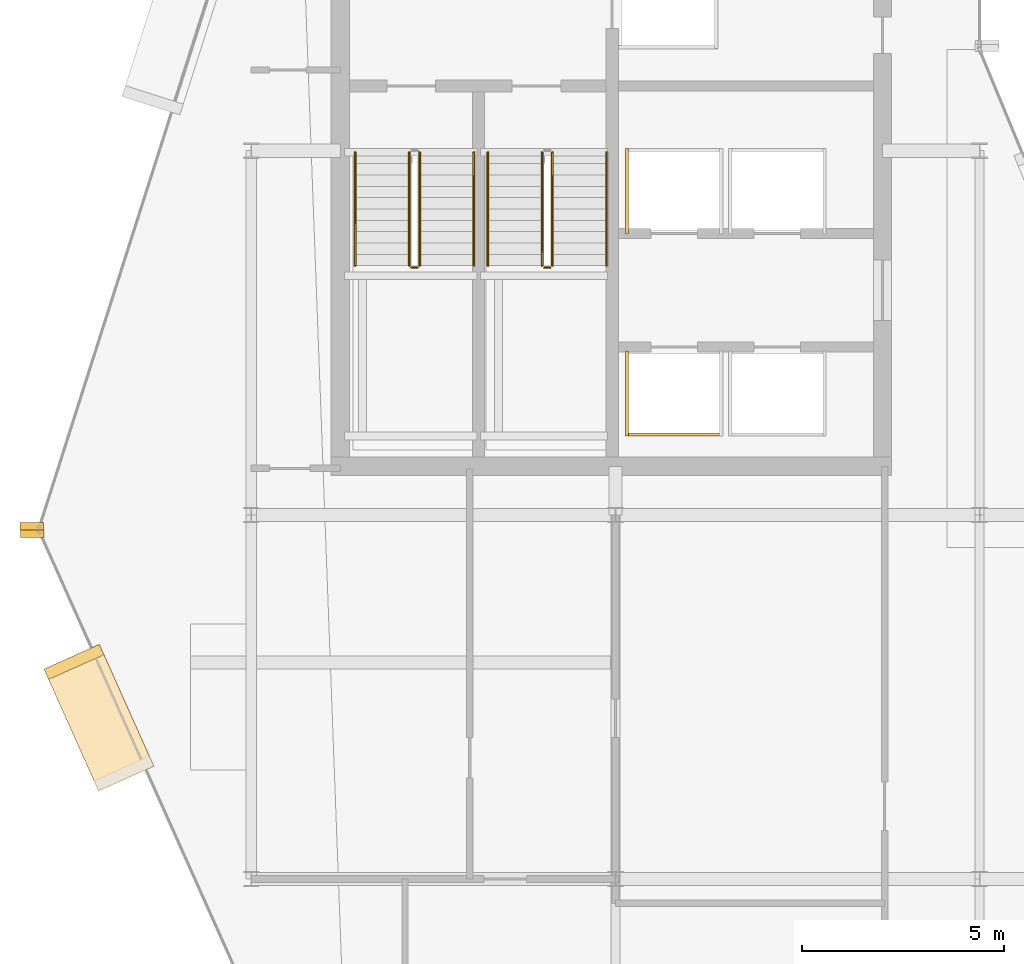
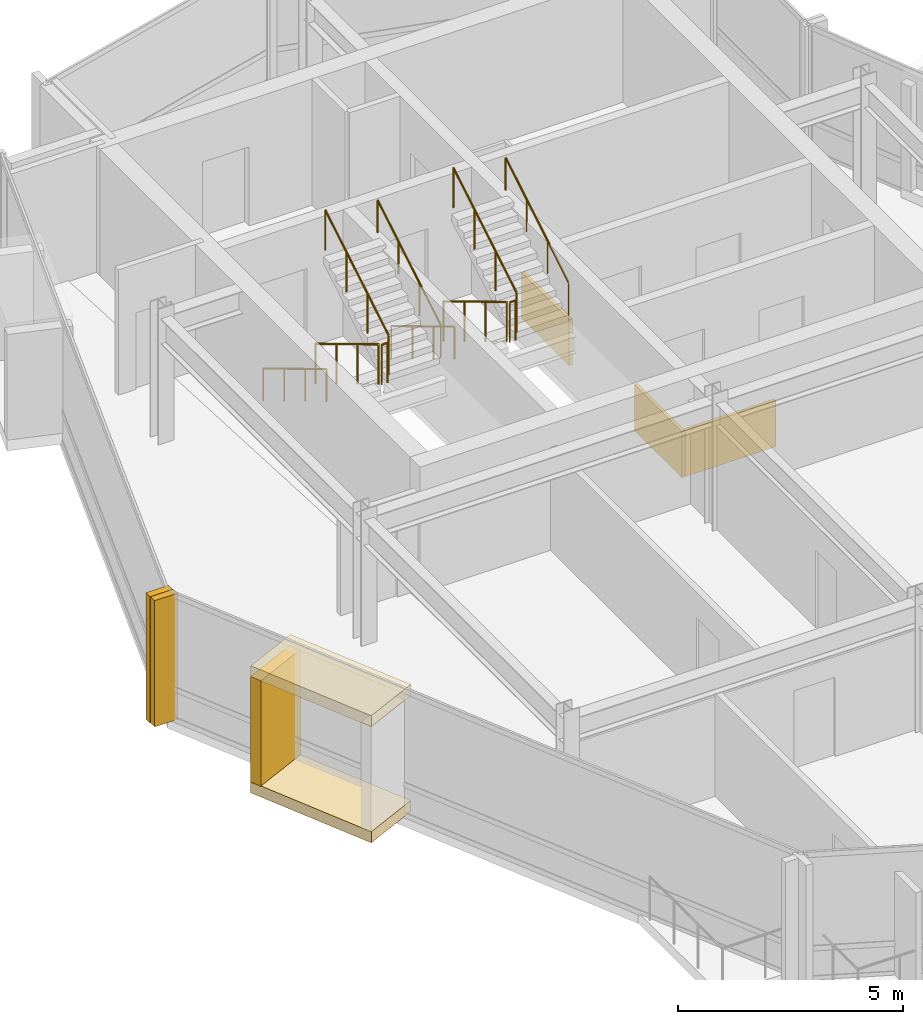
# One storey, part 17 of 19: 10 railings, 8 coverings.
"""IFC4 building model written with IfcOpenShell, lengths in metres."""

from ifc_helpers import new_model, si_unit, direction, frame, origin, origin_2d, place, context, subcontext, project, spatial, rectangle, circle, extrude, material, layer, layer_set, type_object, element, save


model = new_model("IFC4")

# Units and contexts
model_context = context("Model", 3, precision=1e-05, world=origin(), true_north=direction((0.0, 1.0)))
body_context = subcontext(model_context, "Body", "Model", "MODEL_VIEW")
ifc_project = project(units=[si_unit("LENGTHUNIT", "METRE"), si_unit("AREAUNIT", "SQUARE_METRE"), si_unit("VOLUMEUNIT", "CUBIC_METRE"), si_unit("PLANEANGLEUNIT", "RADIAN"), si_unit("MASSUNIT", "GRAM", prefix="KILO")], contexts=[model_context])

# Site, building, storey
site_placement = place(None, origin())
site = spatial("IfcSite", under=ifc_project, at=site_placement, CompositionType="ELEMENT")
building_placement = place(site_placement, origin())
building = spatial("IfcBuilding", under=site, at=building_placement, Name="Solvaryn Broadcast Tower", CompositionType="ELEMENT")
storey_placement = place(building_placement, frame((0.0, 0.0, 270.39990234375)))
storey = spatial("IfcBuildingStorey", under=building, at=storey_placement, Name="L68", CompositionType="ELEMENT", Elevation=270.39990234375)

# Coverings
ifc_material_1 = material(Name="Fire-Rated Gypsum Shaftwall Liner", Category="concrete")
ifc_layer_1 = layer(ifc_material_1, 0.080078125)
ifc_layer_set_1 = layer_set([ifc_layer_1], Name="CV-SHAFT-LINER")
covering_type_1 = type_object("IfcCoveringType", Name="CV-SHAFT-LINER", PredefinedType="CLADDING", material=ifc_layer_set_1)
covering_1_placement = place(storey_placement, frame((19.449951171875, 28.985107421875, 0.0), z_axis=(0.0, 0.0, 1.0), x_axis=(1.0, 0.0, 0.0)))
element("IfcCovering", 1, at=covering_1_placement, inside=storey, type_object=covering_type_1, Name="L68 PH1 Hoistway Shaft Liner South", PredefinedType="CLADDING", context=body_context, shape_type="SweptSolid", body=[
    extrude(rectangle(XDim=2.409912109375, YDim=0.080078125, at=origin_2d()), origin(), (0.0, 0.0, 1.0), 1.25),
])
for number, where, z_axis, x_axis, name in (
    (2, (18.284912109375, 30.0, 0.0), (0.0, 0.0, 1.0), (1.0, 0.0, 0.0), "L68 PH1 Hoistway Shaft Liner West"),
    (3, (18.284912109375, 35.0, 0.0), (0.0, 0.0, 1.0), (1.0, 0.0, 0.0), "L68 PH3 Hoistway Shaft Liner West"),
):
    element("IfcCovering", number, at=place(storey_placement, frame(where, z_axis=z_axis, x_axis=x_axis)), inside=storey, type_object=covering_type_1, Name=name, PredefinedType="CLADDING", context=body_context, shape_type="SweptSolid", body=[
        extrude(rectangle(XDim=0.080078125, YDim=2.110107421875, at=origin_2d()), origin(), (0.0, 0.0, 1.0), 1.25),
    ])
ifc_material_2 = material(Name="Glazed Architectural Terracotta Rainscreen Cladding", Category="masonry")
ifc_layer_2 = layer(ifc_material_2, 0.280029296875)
ifc_layer_set_2 = layer_set([ifc_layer_2], Name="CV-TC-CLAD")
covering_type_2 = type_object("IfcCoveringType", Name="CV-TC-CLAD", PredefinedType="CLADDING", material=ifc_layer_set_2)
for number, where, z_axis, x_axis, name in (
    (4, (5.236083984375, 21.989990234375, 3.1298828125), (0.0, 0.0, 1.0), (0.408489773781, -0.91276289622, 0.0), "L68 Projecting Stone Window Box Hood 2"),
    (5, (5.236083984375, 21.989990234375, -0.009765625), (0.0, 0.0, 1.0), (0.408489773781, -0.91276289622, 0.0), "L68 Projecting Stone Window Box Sill 2"),
):
    element("IfcCovering", number, at=place(storey_placement, frame(where, z_axis=z_axis, x_axis=x_axis)), inside=storey, type_object=covering_type_2, Name=name, PredefinedType="CLADDING", context=body_context, shape_type="SweptSolid", body=[
        extrude(rectangle(XDim=3.300048828125, YDim=1.5, at=origin_2d()), origin(), (0.0, 0.0, 1.0), 0.300048828125),
    ])
covering_2_placement = place(storey_placement, frame((4.619140625, 23.368408203125, 0.2802734375), z_axis=(0.0, 0.0, 1.0), x_axis=(0.408489773781, -0.91276289622, 0.0)))
element("IfcCovering", 6, at=covering_2_placement, inside=storey, type_object=covering_type_2, Name="L68 Projecting Stone Window Box Cheek 2-1", PredefinedType="CLADDING", context=body_context, shape_type="SweptSolid", body=[
    extrude(rectangle(XDim=0.280029296875, YDim=1.5, at=origin_2d()), origin(), (0.0, 0.0, 1.0), 2.860107421875),
])
ifc_material_3 = material(Name="Extruded Architectural Terracotta Fin", Category="masonry")
ifc_layer_3 = layer(ifc_material_3, 0.179931640625)
ifc_layer_set_3 = layer_set([ifc_layer_3], Name="CV-TC-FIN")
covering_type_3 = type_object("IfcCoveringType", Name="CV-TC-FIN", PredefinedType="USERDEFINED", material=ifc_layer_set_3)
for number, where, z_axis, x_axis, name in (
    (7, (3.575439453125, 26.71923828125, 0.000244140625), (0.0, 0.0, 1.0), (1.0, 0.0, 0.0), "L68 Terracotta Vertical Fin FIN-L68-DR1-M01"),
    (8, (3.5859375, 26.53515625, 0.000244140625), (0.0, 0.0, 1.0), (1.0, 0.0, 0.0), "L68 Terracotta Vertical Fin FIN-L68-DR2-M00"),
):
    element("IfcCovering", number, at=place(storey_placement, frame(where, z_axis=z_axis, x_axis=x_axis)), inside=storey, type_object=covering_type_3, Name=name, ObjectType="FIN", PredefinedType="USERDEFINED", context=body_context, shape_type="SweptSolid", body=[
        extrude(rectangle(XDim=0.580078125, YDim=0.179931640625, at=origin_2d()), origin(), (0.0, 0.0, 1.0), 3.419921875),
    ])

# Railings
ifc_material_4 = material(Name="Painted Steel Stair Well Guard", Category="steel")
railing_type_1 = type_object("IfcRailingType", Name="RL-STAIR-GUARD", PredefinedType="BALUSTRADE", material=ifc_material_4)
railing_1_placement = place(storey_placement, frame((12.909912109375, 35.9599609375, 0.168212890625)))
element("IfcRailing", 9, at=railing_1_placement, inside=storey, type_object=railing_type_1, Name="L68 ST1 stair guard 1", PredefinedType="BALUSTRADE", context=body_context, shape_type="SweptSolid", body=[
    extrude(circle(Radius=0.02392578125, at=origin_2d()), frame((0.0, 0.0, 1.076171875), z_axis=(0.0, -0.857242210791, 0.514913383045), x_axis=(1.0, 0.0, 0.0)), (0.0, 0.0, 1.0), 3.266357421875),
    extrude(circle(Radius=0.02099609375, at=origin_2d()), origin(), (0.0, 0.0, 1.0), 1.052001953125),
    extrude(circle(Radius=0.02099609375, at=origin_2d()), frame((0.0, -0.933349609375, 0.560546875)), (0.0, 0.0, 1.0), 1.052001953125),
    extrude(circle(Radius=0.02099609375, at=origin_2d()), frame((0.0, -1.86669921875, 1.121337890625)), (0.0, 0.0, 1.0), 1.052001953125),
    extrude(circle(Radius=0.02099609375, at=origin_2d()), frame((0.0, -2.800048828125, 1.681884765625)), (0.0, 0.0, 1.0), 1.052001953125),
])
railing_2_placement = place(storey_placement, frame((12.9599609375, 33.110107421875, 1.85009765625)))
element("IfcRailing", 10, at=railing_2_placement, inside=storey, type_object=railing_type_1, Name="L68 ST1 stair guard 2", PredefinedType="BALUSTRADE", context=body_context, shape_type="SweptSolid", body=[
    extrude(circle(Radius=0.02392578125, at=origin_2d()), frame((0.0, 0.0, 1.076171875), z_axis=(1.0, 0.0, 0.0), x_axis=(0.0, 1.0, 0.0)), (0.0, 0.0, 1.0), 0.150146484375),
    extrude(circle(Radius=0.02099609375, at=origin_2d()), origin(), (0.0, 0.0, 1.0), 1.052001953125),
    extrude(circle(Radius=0.02099609375, at=origin_2d()), frame((0.150146484375, 0.0, 0.0)), (0.0, 0.0, 1.0), 1.052001953125),
])
railing_3_placement = place(storey_placement, frame((13.159912109375, 33.159912109375, 2.018310546875)))
element("IfcRailing", 11, at=railing_3_placement, inside=storey, type_object=railing_type_1, Name="L68 ST1 stair guard 3", PredefinedType="BALUSTRADE", context=body_context, shape_type="SweptSolid", body=[
    extrude(circle(Radius=0.02392578125, at=origin_2d()), frame((0.0, 0.0, 1.076171875), z_axis=(0.0, 0.857242210791, 0.514913383045), x_axis=(-1.0, 0.0, 0.0)), (0.0, 0.0, 1.0), 3.266357421875),
    extrude(circle(Radius=0.02099609375, at=origin_2d()), origin(), (0.0, 0.0, 1.0), 1.052001953125),
    extrude(circle(Radius=0.02099609375, at=origin_2d()), frame((0.0, 0.933349609375, 0.560546875)), (0.0, 0.0, 1.0), 1.052001953125),
    extrude(circle(Radius=0.02099609375, at=origin_2d()), frame((0.0, 1.86669921875, 1.121337890625)), (0.0, 0.0, 1.0), 1.052001953125),
    extrude(circle(Radius=0.02099609375, at=origin_2d()), frame((0.0, 2.800048828125, 1.681884765625)), (0.0, 0.0, 1.0), 1.052001953125),
])
railing_4_placement = place(storey_placement, frame((16.18994140625, 35.9599609375, 0.168212890625)))
element("IfcRailing", 12, at=railing_4_placement, inside=storey, type_object=railing_type_1, Name="L68 ST2 stair guard 1", PredefinedType="BALUSTRADE", context=body_context, shape_type="SweptSolid", body=[
    extrude(circle(Radius=0.02392578125, at=origin_2d()), frame((0.0, 0.0, 1.076171875), z_axis=(0.0, -0.857242210791, 0.514913383045), x_axis=(1.0, 0.0, 0.0)), (0.0, 0.0, 1.0), 3.266357421875),
    extrude(circle(Radius=0.02099609375, at=origin_2d()), origin(), (0.0, 0.0, 1.0), 1.052001953125),
    extrude(circle(Radius=0.02099609375, at=origin_2d()), frame((0.0, -0.933349609375, 0.560546875)), (0.0, 0.0, 1.0), 1.052001953125),
    extrude(circle(Radius=0.02099609375, at=origin_2d()), frame((0.0, -1.86669921875, 1.121337890625)), (0.0, 0.0, 1.0), 1.052001953125),
    extrude(circle(Radius=0.02099609375, at=origin_2d()), frame((0.0, -2.800048828125, 1.681884765625)), (0.0, 0.0, 1.0), 1.052001953125),
])
railing_5_placement = place(storey_placement, frame((16.239990234375, 33.110107421875, 1.85009765625)))
element("IfcRailing", 13, at=railing_5_placement, inside=storey, type_object=railing_type_1, Name="L68 ST2 stair guard 2", PredefinedType="BALUSTRADE", context=body_context, shape_type="SweptSolid", body=[
    extrude(circle(Radius=0.02392578125, at=origin_2d()), frame((0.0, 0.0, 1.076171875), z_axis=(1.0, 0.0, 0.0), x_axis=(0.0, 1.0, 0.0)), (0.0, 0.0, 1.0), 0.14990234375),
    extrude(circle(Radius=0.02099609375, at=origin_2d()), origin(), (0.0, 0.0, 1.0), 1.052001953125),
    extrude(circle(Radius=0.02099609375, at=origin_2d()), frame((0.14990234375, 0.0, 0.0)), (0.0, 0.0, 1.0), 1.052001953125),
])
railing_6_placement = place(storey_placement, frame((16.43994140625, 33.159912109375, 2.018310546875)))
element("IfcRailing", 14, at=railing_6_placement, inside=storey, type_object=railing_type_1, Name="L68 ST2 stair guard 3", PredefinedType="BALUSTRADE", context=body_context, shape_type="SweptSolid", body=[
    extrude(circle(Radius=0.02392578125, at=origin_2d()), frame((0.0, 0.0, 1.076171875), z_axis=(0.0, 0.857242210791, 0.514913383045), x_axis=(-1.0, 0.0, 0.0)), (0.0, 0.0, 1.0), 3.266357421875),
    extrude(circle(Radius=0.02099609375, at=origin_2d()), origin(), (0.0, 0.0, 1.0), 1.052001953125),
    extrude(circle(Radius=0.02099609375, at=origin_2d()), frame((0.0, 0.933349609375, 0.560546875)), (0.0, 0.0, 1.0), 1.052001953125),
    extrude(circle(Radius=0.02099609375, at=origin_2d()), frame((0.0, 1.86669921875, 1.121337890625)), (0.0, 0.0, 1.0), 1.052001953125),
    extrude(circle(Radius=0.02099609375, at=origin_2d()), frame((0.0, 2.800048828125, 1.681884765625)), (0.0, 0.0, 1.0), 1.052001953125),
])
ifc_material_5 = material(Name="Brushed Stainless Steel Tubular Handrail", Category="steel")
railing_type_2 = type_object("IfcRailingType", Name="RL-STAIR-HANDRAIL", PredefinedType="HANDRAIL", material=ifc_material_5)
railing_7_placement = place(storey_placement, frame((11.570068359375, 35.9599609375, 0.168212890625)))
element("IfcRailing", 15, at=railing_7_placement, inside=storey, type_object=railing_type_2, Name="L68 ST1 stair handrail 1", PredefinedType="HANDRAIL", context=body_context, shape_type="SweptSolid", body=[
    extrude(circle(Radius=0.02392578125, at=origin_2d()), frame((0.0, 0.0, 0.8759765625), z_axis=(0.0, -0.857242210791, 0.514913383045), x_axis=(1.0, 0.0, 0.0)), (0.0, 0.0, 1.0), 3.266357421875),
    extrude(circle(Radius=0.02099609375, at=origin_2d()), origin(), (0.0, 0.0, 1.0), 0.851806640625),
    extrude(circle(Radius=0.02099609375, at=origin_2d()), frame((0.0, -0.933349609375, 0.560546875)), (0.0, 0.0, 1.0), 0.851806640625),
    extrude(circle(Radius=0.02099609375, at=origin_2d()), frame((0.0, -1.86669921875, 1.121337890625)), (0.0, 0.0, 1.0), 0.851806640625),
    extrude(circle(Radius=0.02099609375, at=origin_2d()), frame((0.0, -2.800048828125, 1.681884765625)), (0.0, 0.0, 1.0), 0.851806640625),
])
railing_8_placement = place(storey_placement, frame((14.5, 33.159912109375, 2.018310546875)))
element("IfcRailing", 16, at=railing_8_placement, inside=storey, type_object=railing_type_2, Name="L68 ST1 stair handrail 2", PredefinedType="HANDRAIL", context=body_context, shape_type="SweptSolid", body=[
    extrude(circle(Radius=0.02392578125, at=origin_2d()), frame((0.0, 0.0, 0.8759765625), z_axis=(0.0, 0.857242210791, 0.514913383045), x_axis=(-1.0, 0.0, 0.0)), (0.0, 0.0, 1.0), 3.266357421875),
    extrude(circle(Radius=0.02099609375, at=origin_2d()), origin(), (0.0, 0.0, 1.0), 0.851806640625),
    extrude(circle(Radius=0.02099609375, at=origin_2d()), frame((0.0, 0.933349609375, 0.560546875)), (0.0, 0.0, 1.0), 0.851806640625),
    extrude(circle(Radius=0.02099609375, at=origin_2d()), frame((0.0, 1.86669921875, 1.121337890625)), (0.0, 0.0, 1.0), 0.851806640625),
    extrude(circle(Radius=0.02099609375, at=origin_2d()), frame((0.0, 2.800048828125, 1.681884765625)), (0.0, 0.0, 1.0), 0.851806640625),
])
railing_9_placement = place(storey_placement, frame((14.85009765625, 35.9599609375, 0.168212890625)))
element("IfcRailing", 17, at=railing_9_placement, inside=storey, type_object=railing_type_2, Name="L68 ST2 stair handrail 1", PredefinedType="HANDRAIL", context=body_context, shape_type="SweptSolid", body=[
    extrude(circle(Radius=0.02392578125, at=origin_2d()), frame((0.0, 0.0, 0.8759765625), z_axis=(0.0, -0.857242210791, 0.514913383045), x_axis=(1.0, 0.0, 0.0)), (0.0, 0.0, 1.0), 3.266357421875),
    extrude(circle(Radius=0.02099609375, at=origin_2d()), origin(), (0.0, 0.0, 1.0), 0.851806640625),
    extrude(circle(Radius=0.02099609375, at=origin_2d()), frame((0.0, -0.933349609375, 0.560546875)), (0.0, 0.0, 1.0), 0.851806640625),
    extrude(circle(Radius=0.02099609375, at=origin_2d()), frame((0.0, -1.86669921875, 1.121337890625)), (0.0, 0.0, 1.0), 0.851806640625),
    extrude(circle(Radius=0.02099609375, at=origin_2d()), frame((0.0, -2.800048828125, 1.681884765625)), (0.0, 0.0, 1.0), 0.851806640625),
])
railing_10_placement = place(storey_placement, frame((17.780029296875, 33.159912109375, 2.018310546875)))
element("IfcRailing", 18, at=railing_10_placement, inside=storey, type_object=railing_type_2, Name="L68 ST2 stair handrail 2", PredefinedType="HANDRAIL", context=body_context, shape_type="SweptSolid", body=[
    extrude(circle(Radius=0.02392578125, at=origin_2d()), frame((0.0, 0.0, 0.8759765625), z_axis=(0.0, 0.857242210791, 0.514913383045), x_axis=(-1.0, 0.0, 0.0)), (0.0, 0.0, 1.0), 3.266357421875),
    extrude(circle(Radius=0.02099609375, at=origin_2d()), origin(), (0.0, 0.0, 1.0), 0.851806640625),
    extrude(circle(Radius=0.02099609375, at=origin_2d()), frame((0.0, 0.933349609375, 0.560546875)), (0.0, 0.0, 1.0), 0.851806640625),
    extrude(circle(Radius=0.02099609375, at=origin_2d()), frame((0.0, 1.86669921875, 1.121337890625)), (0.0, 0.0, 1.0), 0.851806640625),
    extrude(circle(Radius=0.02099609375, at=origin_2d()), frame((0.0, 2.800048828125, 1.681884765625)), (0.0, 0.0, 1.0), 0.851806640625),
])

save(model, "model.ifc")
